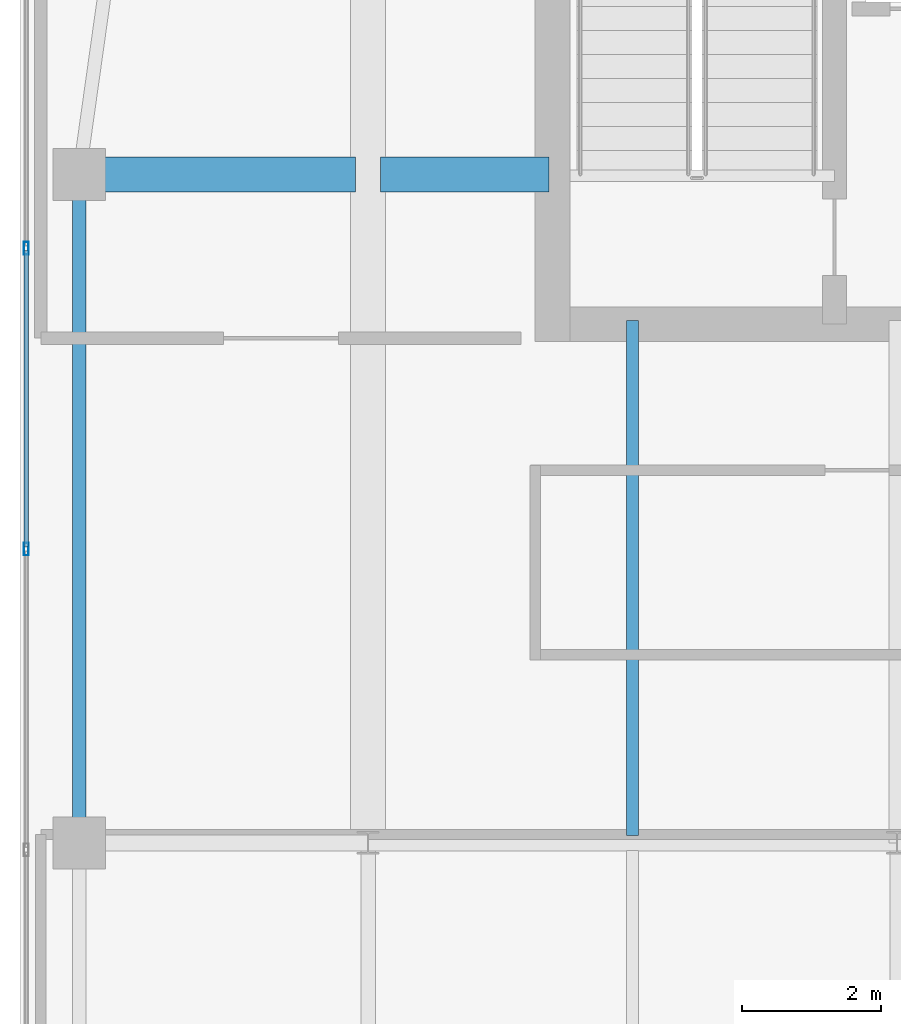
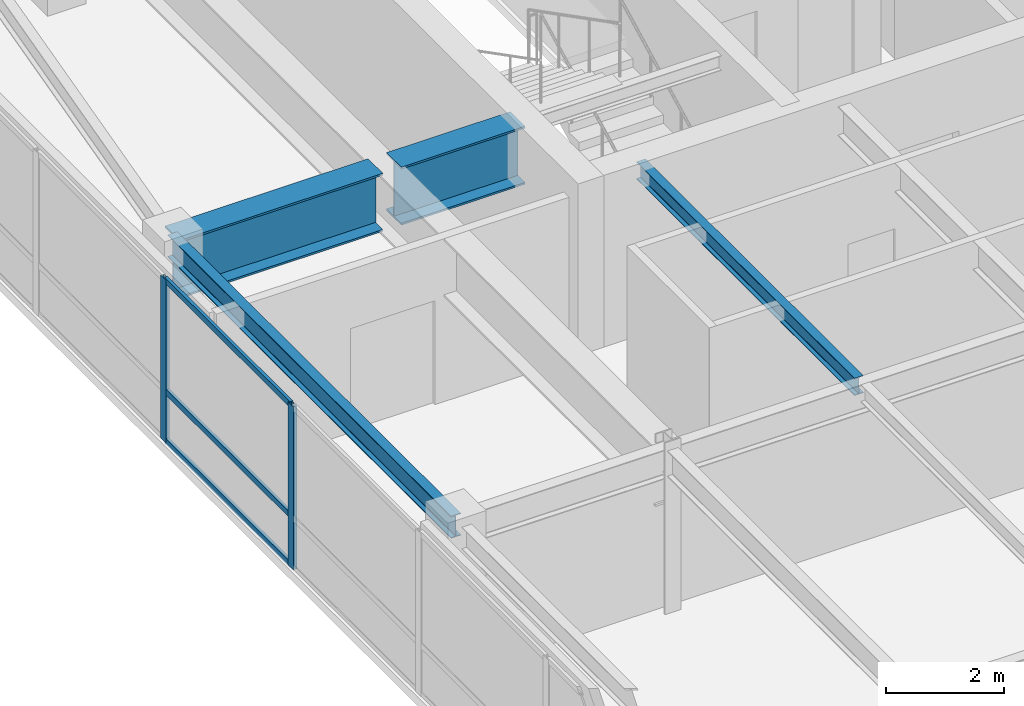
# One storey, part 9 of 19: 5 members, 4 beams, 1 element without a shape of its own.
"""IFC4 building model written with IfcOpenShell, lengths in metres."""

from ifc_helpers import new_model, si_unit, direction, frame, origin, origin_2d, place, context, subcontext, project, spatial, hollow_rectangle, i_section, extrude, source, transform, mapped, material, layer, layer_set, material_profile, profile_set, type_object, type_shapes, element, aggregate, save


model = new_model("IFC4")

# Units and contexts
model_context = context("Model", 3, precision=1e-05, world=origin(), true_north=direction((0.0, 1.0)))
body_context = subcontext(model_context, "Body", "Model", "MODEL_VIEW")
ifc_project = project(units=[si_unit("LENGTHUNIT", "METRE"), si_unit("AREAUNIT", "SQUARE_METRE"), si_unit("VOLUMEUNIT", "CUBIC_METRE"), si_unit("PLANEANGLEUNIT", "RADIAN"), si_unit("MASSUNIT", "GRAM", prefix="KILO")], contexts=[model_context])

# Site, building, storey
site_placement = place(None, origin())
site = spatial("IfcSite", under=ifc_project, at=site_placement, CompositionType="ELEMENT")
building_placement = place(site_placement, origin())
building = spatial("IfcBuilding", under=site, at=building_placement, Name="Tolvann Quenvar Hotel", CompositionType="ELEMENT")
storey_placement = place(building_placement, frame((0.0, 0.0, 223.89990234375)))
storey = spatial("IfcBuildingStorey", under=building, at=storey_placement, Name="L59", CompositionType="ELEMENT", Elevation=223.89990234375)

# Beams
ifc_material_1 = material(Name="Steel Grade 350", Category="steel")
ifc_material_profile_1 = material_profile(ifc_material_1, i_section(OverallWidth=0.5, OverallDepth=1.199951171875, WebThickness=0.01611328125, FlangeThickness=0.0400390625, at=origin_2d()), Name="1200WB455")
ifc_profile_set_1 = profile_set([ifc_material_profile_1], Name="Steel Grade 350")
beam_type_1 = type_object("IfcBeamType", Name="BM_TG_1200WB455", PredefinedType="USERDEFINED", material=ifc_profile_set_1)
shared_shape_1 = source(origin(), body_context, "Body", "SweptSolid", [
    extrude(i_section(OverallWidth=0.5, OverallDepth=1.199951171875, WebThickness=0.01611328125, FlangeThickness=0.0400390625, at=origin_2d()), origin(), (0.0, 0.0, 1.0), 2.419921875),
])
beam_1_placement = place(storey_placement, frame((7.780029296875, 34.0, 2.77001953125), z_axis=(1.0, 0.0, 0.0), x_axis=(0.0, 1.0, 0.0)))
element("IfcBeam", 1, at=beam_1_placement, inside=storey, type_object=beam_type_1, Name="BM-L59-CTW-MID2", ObjectType="TRANSFER GIRDER", PredefinedType="USERDEFINED", context=body_context, shape_type="MappedRepresentation", body=[
    mapped(shared_shape_1, transform((0.0, 0.0, 0.0), x_axis=(1.0, 0.0, 0.0), y_axis=(0.0, 1.0, 0.0), z_axis=(0.0, 0.0, 1.0), scale=1.0)),
])
shared_shape_2 = source(origin(), body_context, "Body", "SweptSolid", [
    extrude(i_section(OverallWidth=0.5, OverallDepth=1.199951171875, WebThickness=0.01611328125, FlangeThickness=0.0400390625, at=origin_2d()), origin(), (0.0, 0.0, 1.0), 3.969970703125),
])
type_shapes(beam_type_1, [shared_shape_1, shared_shape_2])
beam_2_placement = place(storey_placement, frame((3.449951171875, 34.0, 2.77001953125), z_axis=(1.0, 0.0, 0.0), x_axis=(0.0, 1.0, 0.0)))
element("IfcBeam", 2, at=beam_2_placement, inside=storey, type_object=beam_type_1, Name="BM-L59-CTW-MID1", ObjectType="TRANSFER GIRDER", PredefinedType="USERDEFINED", context=body_context, shape_type="MappedRepresentation", body=[
    mapped(shared_shape_2, transform((0.0, 0.0, 0.0), x_axis=(1.0, 0.0, 0.0), y_axis=(0.0, 1.0, 0.0), z_axis=(0.0, 0.0, 1.0), scale=1.0)),
])
ifc_material_profile_2 = material_profile(ifc_material_1, i_section(OverallWidth=0.172119140625, OverallDepth=0.35888671875, WebThickness=0.008056640625, FlangeThickness=0.012939453125, FilletRadius=0.011474609375, at=origin_2d()), Name="360UB57")
ifc_profile_set_2 = profile_set([ifc_material_profile_2], Name="Steel Grade 350")
beam_type_2 = type_object("IfcBeamType", Name="BM_JOIST_360UB57", PredefinedType="JOIST", material=ifc_profile_set_2)
shared_shape_3 = source(origin(), body_context, "Body", "SweptSolid", [
    extrude(i_section(OverallWidth=0.172119140625, OverallDepth=0.35888671875, WebThickness=0.008056640625, FlangeThickness=0.012939453125, FilletRadius=0.011474609375, at=origin_2d()), origin(), (0.0, 0.0, 1.0), 7.391845703125),
])
type_shapes(beam_type_2, [shared_shape_3])
beam_3_placement = place(storey_placement, frame((11.39990234375, 24.508056640625, 3.190673828125), z_axis=(0.0, 1.0, 0.0), x_axis=(-1.0, 0.0, 0.0)))
element("IfcBeam", 3, at=beam_3_placement, inside=storey, type_object=beam_type_2, Name="BJ-L59-114-244", PredefinedType="JOIST", context=body_context, shape_type="MappedRepresentation", body=[
    mapped(shared_shape_3, transform((0.0, 0.0, 0.0), x_axis=(1.0, 0.0, 0.0), y_axis=(0.0, 1.0, 0.0), z_axis=(0.0, 0.0, 1.0), scale=1.0)),
])
ifc_material_profile_3 = material_profile(ifc_material_1, i_section(OverallWidth=0.19091796875, OverallDepth=0.4599609375, WebThickness=0.010009765625, FlangeThickness=0.01611328125, FilletRadius=0.011474609375, at=origin_2d()), Name="460UB82")
ifc_profile_set_3 = profile_set([ifc_material_profile_3], Name="Steel Grade 350")
beam_type_3 = type_object("IfcBeamType", Name="BM_SPAND_460UB82", PredefinedType="SPANDREL", material=ifc_profile_set_3)
shared_shape_4 = source(origin(), body_context, "Body", "SweptSolid", [
    extrude(i_section(OverallWidth=0.19091796875, OverallDepth=0.4599609375, WebThickness=0.010009765625, FlangeThickness=0.01611328125, FilletRadius=0.011474609375, at=origin_2d()), origin(), (0.0, 0.0, 1.0), 9.60009765625),
])
type_shapes(beam_type_3, [shared_shape_4])
beam_4_placement = place(storey_placement, frame((3.449951171875, 24.39990234375, 3.14013671875), z_axis=(0.0, 1.0, 0.0), x_axis=(-1.0, 0.0, 0.0)))
element("IfcBeam", 4, at=beam_4_placement, inside=storey, type_object=beam_type_3, Name="BM-L59-FLK-W1", PredefinedType="SPANDREL", context=body_context, shape_type="MappedRepresentation", body=[
    mapped(shared_shape_4, transform((0.0, 0.0, 0.0), x_axis=(1.0, 0.0, 0.0), y_axis=(0.0, 1.0, 0.0), z_axis=(0.0, 0.0, 1.0), scale=1.0)),
])

# Curtain wall, members
ifc_material_2 = material(Name="Thermally broken anodised architectural aluminium 6063-T6 and laminated low-E glass", Category="aluminium")
ifc_layer = layer(ifc_material_2, 0.179931640625)
ifc_layer_set = layer_set([ifc_layer], Name="Thermally broken anodised architectural aluminium 6063-T6 and laminated low-E glass")
curtain_wall_type = type_object("IfcCurtainWallType", Name="CW_SYS_BAND_04", PredefinedType="USERDEFINED", material=ifc_layer_set)
curtain_wall_placement = place(storey_placement, origin())
curtain_wall = element("IfcCurtainWall", 5, at=curtain_wall_placement, inside=storey, type_object=curtain_wall_type, Name="Curtain Wall CW-BAND-04 (CWR-L59-E19)", ObjectType="UNITISED CURTAIN WALL", PredefinedType="USERDEFINED")
ifc_material_3 = material(Name="Anodised architectural aluminium 6063-T6 framing", Category="aluminium")
ifc_material_profile_4 = material_profile(ifc_material_3, hollow_rectangle(XDim=0.070068359375, YDim=0.179931640625, WallThickness=0.00390625, at=origin_2d()), Name="180x70x4RHS")
ifc_profile_set_4 = profile_set([ifc_material_profile_4], Name="Anodised architectural aluminium 6063-T6 framing")
member_type_1 = type_object("IfcMemberType", Name="CW_MULL_180x70", PredefinedType="MULLION", material=ifc_profile_set_4)
shared_shape_5 = source(origin(), body_context, "Body", "SweptSolid", [
    extrude(hollow_rectangle(XDim=0.070068359375, YDim=0.179931640625, WallThickness=0.00390625, at=origin_2d()), origin(), (0.0, 0.0, 1.0), 3.3701171875),
])
type_shapes(member_type_1, [shared_shape_5])
member_1_placement = place(storey_placement, frame((2.68994140625, 32.94140625, 0.0), z_axis=(0.0, 0.0, 1.0), x_axis=(1.0, 0.0, 0.0)))
member_1 = element("IfcMember", 6, at=member_1_placement, type_object=member_type_1, Name="CW-BAND-04 mullion 3", PredefinedType="MULLION", context=body_context, shape_type="MappedRepresentation", body=[
    mapped(shared_shape_5, transform((0.0, 0.0, 0.0), x_axis=(1.0, 0.0, 0.0), y_axis=(0.0, 1.0, 0.0), z_axis=(0.0, 0.0, 1.0), scale=1.0)),
])
member_2_placement = place(storey_placement, frame((2.68994140625, 28.62060546875, 0.0), z_axis=(0.0, 0.0, 1.0), x_axis=(1.0, 0.0, 0.0)))
member_2 = element("IfcMember", 7, at=member_2_placement, type_object=member_type_1, Name="CW-BAND-04 mullion 4", PredefinedType="MULLION", context=body_context, shape_type="MappedRepresentation", body=[
    mapped(shared_shape_5, transform((0.0, 0.0, 0.0), x_axis=(1.0, 0.0, 0.0), y_axis=(0.0, 1.0, 0.0), z_axis=(0.0, 0.0, 1.0), scale=1.0)),
])
ifc_material_profile_5 = material_profile(ifc_material_3, hollow_rectangle(XDim=0.06005859375, YDim=0.1201171875, WallThickness=0.00341796875, at=origin_2d()), Name="120x60x3.5RHS")
ifc_profile_set_5 = profile_set([ifc_material_profile_5], Name="Anodised architectural aluminium 6063-T6 framing")
member_type_2 = type_object("IfcMemberType", Name="CW_TRAN_120x60", PredefinedType="USERDEFINED", material=ifc_profile_set_5)
shared_shape_6 = source(origin(), body_context, "Body", "SweptSolid", [
    extrude(hollow_rectangle(XDim=0.06005859375, YDim=0.1201171875, WallThickness=0.00341796875, at=origin_2d()), origin(), (0.0, 0.0, 1.0), 4.250732421875),
])
type_shapes(member_type_2, [shared_shape_6])
member_3_placement = place(storey_placement, frame((2.68994140625, 32.906494140625, 0.030029296875), z_axis=(0.0, -1.0, 0.0), x_axis=(1.0, 0.0, 0.0)))
member_3 = element("IfcMember", 8, at=member_3_placement, type_object=member_type_2, Name="CW-BAND-04 transom 3.1", ObjectType="TRANSOM", PredefinedType="USERDEFINED", context=body_context, shape_type="MappedRepresentation", body=[
    mapped(shared_shape_6, transform((0.0, 0.0, 0.0), x_axis=(1.0, 0.0, 0.0), y_axis=(0.0, 1.0, 0.0), z_axis=(0.0, 0.0, 1.0), scale=1.0)),
])
member_4_placement = place(storey_placement, frame((2.68994140625, 32.906494140625, 1.050048828125), z_axis=(0.0, -1.0, 0.0), x_axis=(1.0, 0.0, 0.0)))
member_4 = element("IfcMember", 9, at=member_4_placement, type_object=member_type_2, Name="CW-BAND-04 transom 3.2", ObjectType="TRANSOM", PredefinedType="USERDEFINED", context=body_context, shape_type="MappedRepresentation", body=[
    mapped(shared_shape_6, transform((0.0, 0.0, 0.0), x_axis=(1.0, 0.0, 0.0), y_axis=(0.0, 1.0, 0.0), z_axis=(0.0, 0.0, 1.0), scale=1.0)),
])
member_5_placement = place(storey_placement, frame((2.68994140625, 32.906494140625, 3.340087890625), z_axis=(0.0, -1.0, 0.0), x_axis=(1.0, 0.0, 0.0)))
member_5 = element("IfcMember", 10, at=member_5_placement, type_object=member_type_2, Name="CW-BAND-04 transom 3.3", ObjectType="TRANSOM", PredefinedType="USERDEFINED", context=body_context, shape_type="MappedRepresentation", body=[
    mapped(shared_shape_6, transform((0.0, 0.0, 0.0), x_axis=(1.0, 0.0, 0.0), y_axis=(0.0, 1.0, 0.0), z_axis=(0.0, 0.0, 1.0), scale=1.0)),
])
aggregate(curtain_wall, [member_1, member_2, member_3, member_4, member_5])

save(model, "model.ifc")
